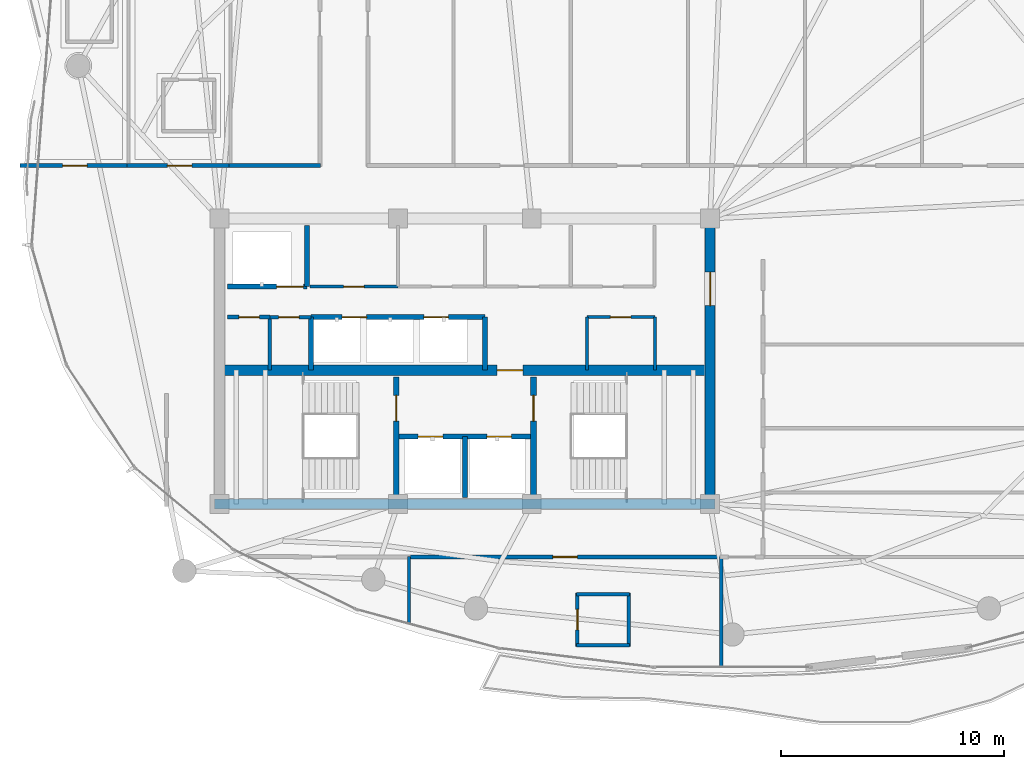
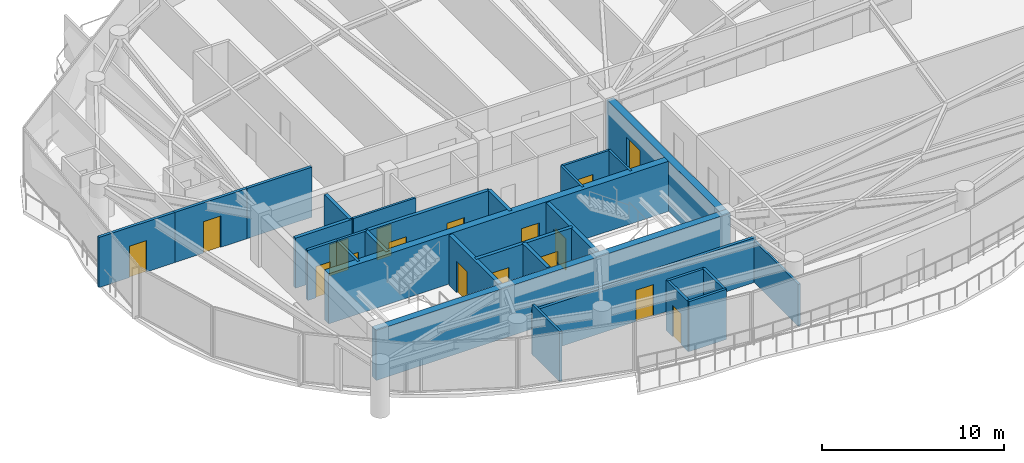
# One storey, part 25 of 31: 29 walls, 17 doors, 17 openings.
"""IFC4 building model written with IfcOpenShell, lengths in metres."""

from ifc_helpers import new_model, si_unit, direction, frame, frame_2d, origin, place, context, subcontext, project, spatial, rectangle, extrude, material, layer, layer_set, type_object, element, fill, save


model = new_model("IFC4")

# Units and contexts
model_context = context("Model", 3, precision=1e-05, world=origin(), true_north=direction((0.0, 1.0)))
body_context = subcontext(model_context, "Body", "Model", "MODEL_VIEW")
ifc_project = project(units=[si_unit("LENGTHUNIT", "METRE"), si_unit("AREAUNIT", "SQUARE_METRE"), si_unit("VOLUMEUNIT", "CUBIC_METRE"), si_unit("PLANEANGLEUNIT", "RADIAN"), si_unit("MASSUNIT", "GRAM", prefix="KILO")], contexts=[model_context])

# Site, building, storey
site_placement = place(None, origin())
site = spatial("IfcSite", under=ifc_project, at=site_placement, CompositionType="ELEMENT")
building_placement = place(site_placement, origin())
building = spatial("IfcBuilding", under=site, at=building_placement, Name="Kazevale Care Tower and Concert Hall", CompositionType="ELEMENT")
storey_placement = place(building_placement, frame((0.0, 0.0, 235.199951171875)))
storey = spatial("IfcBuildingStorey", under=building, at=storey_placement, Name="L62", CompositionType="ELEMENT", Elevation=235.199951171875)

# Wall, opening, door
ifc_material_1 = material(Name="Acoustic Gypsum on Steel Stud", Category="steel")
ifc_layer_1 = layer(ifc_material_1, 0.139892578125)
ifc_layer_set_1 = layer_set([ifc_layer_1], Name="Acoustic Gypsum on Steel Stud")
wall_type_1 = type_object("IfcWallType", Name="Acoustic Care & Suite Partition 140", PredefinedType="PARTITIONING", material=ifc_layer_set_1)
wall_1_placement = place(storey_placement, frame((26.050048828125, 33.35009765625, 0.0), z_axis=(0.0, 0.0, 1.0), x_axis=(1.0, 0.0, 0.0)))
wall_1 = element("IfcWall", 1, at=wall_1_placement, inside=storey, type_object=wall_type_1, Name="wall:L62:c_rpl1_s", PredefinedType="PARTITIONING", context=body_context, shape_type="SweptSolid", body=[
    extrude(rectangle(XDim=3.949951171875, YDim=0.139892578125, at=frame_2d((1.97509765625, 0.0))), origin(), (0.0, 0.0, 1.0), 3.360107421875),
])
opening_1_placement = place(wall_1_placement, frame((1.514892578125, 0.0, 0.0)))
opening_1 = element("IfcOpeningElement", 2, at=opening_1_placement, cuts=wall_1, Name="Opening ID-900", PredefinedType="OPENING", context=body_context, shape_type="SweptSolid", body=[
    extrude(rectangle(XDim=0.919921875, YDim=2.10009765625, at=frame_2d((0.4599609375, 1.050048828125))), frame((0.0, 0.079833984375, 0.0), z_axis=(0.0, -1.0, 0.0), x_axis=(1.0, 0.0, 0.0)), (0.0, 0.0, 1.0), 0.159912109375),
])
ifc_material_2 = material(Name="Oak Timber Fire Leaf", Category="wood")
door_type_1 = type_object("IfcDoorType", Name="Bathroom & Service Door 920x2100", OperationType="NOTDEFINED", PredefinedType="DOOR", material=ifc_material_2)
door_1_placement = place(opening_1_placement, origin())
door_1 = element("IfcDoor", 3, at=door_1_placement, inside=storey, type_object=door_type_1, Name="door:L62:d_rpl1", OperationType="SINGLE_SWING_LEFT", OverallHeight=2.10009765625, OverallWidth=0.919921875, PredefinedType="DOOR", context=body_context, shape_type="SweptSolid", body=[
    extrude(rectangle(XDim=0.919921875, YDim=2.10009765625, at=frame_2d((0.4599609375, 1.050048828125))), frame((0.0, 0.02490234375, 0.0), z_axis=(0.0, -1.0, 0.0), x_axis=(1.0, 0.0, 0.0)), (0.0, 0.0, 1.0), 0.050048828125),
])
fill(opening_1, door_1)

# Walls
for number, where, z_axis, x_axis, name in (
    (4, (38.47998046875, 29.6201171875, 0.0), (0.0, 0.0, 1.0), (0.0, 1.0, 0.0), "wall:L62:kb_ew"),
    (5, (41.52001953125, 29.6201171875, 0.0), (0.0, 0.0, 1.0), (0.0, 1.0, 0.0), "wall:L62:kb_ee"),
):
    element("IfcWall", number, at=place(storey_placement, frame(where, z_axis=z_axis, x_axis=x_axis)), inside=storey, type_object=wall_type_1, Name=name, PredefinedType="PARTITIONING", context=body_context, shape_type="SweptSolid", body=[
        extrude(rectangle(XDim=2.35986328125, YDim=0.139892578125, at=frame_2d((1.179931640625, 0.0))), origin(), (0.0, 0.0, 1.0), 3.360107421875),
    ])

# Wall, opening, door
wall_2_placement = place(storey_placement, frame((38.47998046875, 31.97998046875, 0.0), z_axis=(0.0, 0.0, 1.0), x_axis=(1.0, 0.0, 0.0)))
wall_2 = element("IfcWall", 6, at=wall_2_placement, inside=storey, type_object=wall_type_1, Name="wall:L62:kb_en", PredefinedType="PARTITIONING", context=body_context, shape_type="SweptSolid", body=[
    extrude(rectangle(XDim=3.0400390625, YDim=0.139892578125, at=frame_2d((1.52001953125, 0.0))), origin(), (0.0, 0.0, 1.0), 3.360107421875),
])
opening_2_placement = place(wall_2_placement, frame((1.044921875, 0.0, 0.0)))
opening_2 = element("IfcOpeningElement", 7, at=opening_2_placement, cuts=wall_2, Name="Opening ID-900", PredefinedType="OPENING", context=body_context, shape_type="SweptSolid", body=[
    extrude(rectangle(XDim=0.919921875, YDim=2.10009765625, at=frame_2d((0.4599609375, 1.050048828125))), frame((0.0, 0.079833984375, 0.0), z_axis=(0.0, -1.0, 0.0), x_axis=(1.0, 0.0, 0.0)), (0.0, 0.0, 1.0), 0.159912109375),
])
door_2_placement = place(opening_2_placement, origin())
door_2 = element("IfcDoor", 8, at=door_2_placement, inside=storey, type_object=door_type_1, Name="door:L62:d_kbe", OperationType="SINGLE_SWING_LEFT", OverallHeight=2.10009765625, OverallWidth=0.919921875, PredefinedType="DOOR", context=body_context, shape_type="SweptSolid", body=[
    extrude(rectangle(XDim=0.919921875, YDim=2.10009765625, at=frame_2d((0.4599609375, 1.050048828125))), frame((0.0, 0.02490234375, 0.0), z_axis=(0.0, -1.0, 0.0), x_axis=(1.0, 0.0, 0.0)), (0.0, 0.0, 1.0), 0.050048828125),
])
fill(opening_2, door_2)

# Walls
wall_3_placement = place(storey_placement, frame((30.5, 21.2548828125, 0.0), z_axis=(0.0, 0.0, 1.0), x_axis=(0.0, -1.0, 0.0)))
element("IfcWall", 9, at=wall_3_placement, inside=storey, type_object=wall_type_1, Name="wall:L62:auto_037", PredefinedType="PARTITIONING", context=body_context, shape_type="SweptSolid", body=[
    extrude(rectangle(XDim=3.013671875, YDim=0.139892578125, at=frame_2d((1.5068359375, 0.0))), origin(), (0.0, 0.0, 1.0), 3.360107421875),
])
wall_4_placement = place(storey_placement, frame((44.5, 21.2548828125, 0.0), z_axis=(0.0, 0.0, 1.0), x_axis=(0.0, -1.0, 0.0)))
element("IfcWall", 10, at=wall_4_placement, inside=storey, type_object=wall_type_1, Name="wall:L62:auto_038", PredefinedType="PARTITIONING", context=body_context, shape_type="SweptSolid", body=[
    extrude(rectangle(XDim=4.9599609375, YDim=0.139892578125, at=frame_2d((2.47998046875, 0.0))), origin(), (0.0, 0.0, 1.0), 2.80615234375),
])
ifc_material_3 = material(Name="Concrete C50", Category="concrete")
ifc_layer_2 = layer(ifc_material_3, 0.449951171875)
ifc_layer_set_2 = layer_set([ifc_layer_2], Name="Concrete C50")
wall_type_2 = type_object("IfcWallType", Name="Core Shear Wall 450 C50", PredefinedType="SHEAR", material=ifc_layer_set_2)
wall_5_placement = place(storey_placement, frame((21.77490234375, 23.60009765625, 0.0), z_axis=(0.0, 0.0, 1.0), x_axis=(1.0, 0.0, 0.0)))
element("IfcWall", 11, at=wall_5_placement, inside=storey, type_object=wall_type_2, Name="wall:L62:core:S", PredefinedType="SHEAR", context=body_context, shape_type="SweptSolid", body=[
    extrude(rectangle(XDim=22.4501953125, YDim=0.449951171875, at=frame_2d((11.22509765625, 0.0))), origin(), (0.0, 0.0, 1.0), 3.360107421875),
])

# Wall, opening, door
wall_6_placement = place(storey_placement, frame((44.0, 23.824951171875, 0.0), z_axis=(0.0, 0.0, 1.0), x_axis=(0.0, 1.0, 0.0)))
wall_6 = element("IfcWall", 12, at=wall_6_placement, inside=storey, type_object=wall_type_2, Name="wall:L62:core:E", PredefinedType="SHEAR", context=body_context, shape_type="SweptSolid", body=[
    extrude(rectangle(XDim=12.35009765625, YDim=0.449951171875, at=frame_2d((6.175048828125, 0.0))), origin(), (0.0, 0.0, 1.0), 3.360107421875),
])
opening_3_placement = place(wall_6_placement, frame((8.675048828125, 0.0, 0.0)))
opening_3 = element("IfcOpeningElement", 13, at=opening_3_placement, cuts=wall_6, Name="Opening FD-60D", PredefinedType="OPENING", context=body_context, shape_type="SweptSolid", body=[
    extrude(rectangle(XDim=1.5, YDim=2.14990234375, at=frame_2d((0.75, 1.074951171875))), frame((0.0, 0.23486328125, 0.0), z_axis=(0.0, -1.0, 0.0), x_axis=(1.0, 0.0, 0.0)), (0.0, 0.0, 1.0), 0.469970703125),
])
door_type_2 = type_object("IfcDoorType", Name="Double Lobby & Auditorium Fire Door 1500x2150", OperationType="NOTDEFINED", PredefinedType="DOOR", material=ifc_material_2)
door_3_placement = place(opening_3_placement, origin())
door_3 = element("IfcDoor", 14, at=door_3_placement, inside=storey, type_object=door_type_2, Name="door:L62:core_east_out", OperationType="DOUBLE_DOOR_SINGLE_SWING", OverallHeight=2.14990234375, OverallWidth=1.5, PredefinedType="DOOR", context=body_context, shape_type="SweptSolid", body=[
    extrude(rectangle(XDim=1.5, YDim=2.14990234375, at=frame_2d((0.75, 1.074951171875))), frame((0.0, 0.02490234375, 0.0), z_axis=(0.0, -1.0, 0.0), x_axis=(1.0, 0.0, 0.0)), (0.0, 0.0, 1.0), 0.050048828125),
])
fill(opening_3, door_3)

wall_7_placement = place(storey_placement, frame((22.22509765625, 29.60009765625, 0.0), z_axis=(0.0, 0.0, 1.0), x_axis=(1.0, 0.0, 0.0)))
wall_7 = element("IfcWall", 15, at=wall_7_placement, inside=storey, type_object=wall_type_2, Name="wall:L62:core:M", PredefinedType="SHEAR", context=body_context, shape_type="SweptSolid", body=[
    extrude(rectangle(XDim=21.5498046875, YDim=0.449951171875, at=frame_2d((10.77490234375, 0.0))), origin(), (0.0, 0.0, 1.0), 3.360107421875),
])
opening_4_placement = place(wall_7_placement, frame((12.22509765625, 0.0, 0.0)))
opening_4 = element("IfcOpeningElement", 16, at=opening_4_placement, cuts=wall_7, Name="Opening FD-90", PredefinedType="OPENING", context=body_context, shape_type="SweptSolid", body=[
    extrude(rectangle(XDim=1.14990234375, YDim=2.10009765625, at=frame_2d((0.574951171875, 1.050048828125))), frame((0.0, 0.23486328125, 0.0), z_axis=(0.0, -1.0, 0.0), x_axis=(1.0, 0.0, 0.0)), (0.0, 0.0, 1.0), 0.469970703125),
])
ifc_material_4 = material(Name="Steel ASTM A572 Gr 50", Category="steel")
door_type_3 = type_object("IfcDoorType", Name="Pressurized Stair & Lobby Fire Door 1150x2100", OperationType="NOTDEFINED", PredefinedType="DOOR", material=ifc_material_4)
door_4_placement = place(opening_4_placement, origin())
door_4 = element("IfcDoor", 17, at=door_4_placement, inside=storey, type_object=door_type_3, Name="door:L62:ff_to_pax", OperationType="SINGLE_SWING_LEFT", OverallHeight=2.10009765625, OverallWidth=1.14990234375, PredefinedType="DOOR", context=body_context, shape_type="SweptSolid", body=[
    extrude(rectangle(XDim=1.14990234375, YDim=2.10009765625, at=frame_2d((0.574951171875, 1.050048828125))), frame((0.0, 0.02490234375, 0.0), z_axis=(0.0, -1.0, 0.0), x_axis=(1.0, 0.0, 0.0)), (0.0, 0.0, 1.0), 0.050048828125),
])
fill(opening_4, door_4)

# Wall, openings, doors
ifc_material_5 = material(Name="Concrete C40", Category="concrete")
ifc_layer_3 = layer(ifc_material_5, 0.219970703125)
ifc_layer_set_3 = layer_set([ifc_layer_3], Name="Concrete C40")
wall_type_3 = type_object("IfcWallType", Name="Elevator Hoistway Shaft Wall 220", PredefinedType="SOLIDWALL", material=ifc_layer_set_3)
wall_8_placement = place(storey_placement, frame((29.919921875, 26.6201171875, 0.0), z_axis=(0.0, 0.0, 1.0), x_axis=(1.0, 0.0, 0.0)))
wall_8 = element("IfcWall", 18, at=wall_8_placement, inside=storey, type_object=wall_type_3, Name="wall:L62:c_ffl_n", PredefinedType="SOLIDWALL", context=body_context, shape_type="SweptSolid", body=[
    extrude(rectangle(XDim=6.16015625, YDim=0.219970703125, at=frame_2d((3.080078125, 0.0))), origin(), (0.0, 0.0, 1.0), 3.360107421875),
])
opening_5_placement = place(wall_8_placement, frame((0.989990234375, 0.0, 0.0)))
opening_5 = element("IfcOpeningElement", 19, at=opening_5_placement, cuts=wall_8, Name="Opening LD-FF", PredefinedType="OPENING", context=body_context, shape_type="SweptSolid", body=[
    extrude(rectangle(XDim=1.10009765625, YDim=2.10009765625, at=frame_2d((0.550048828125, 1.050048828125))), frame((0.0, 0.119873046875, 0.0), z_axis=(0.0, -1.0, 0.0), x_axis=(1.0, 0.0, 0.0)), (0.0, 0.0, 1.0), 0.239990234375),
])
opening_6_placement = place(wall_8_placement, frame((4.070068359375, 0.0, 0.0)))
opening_6 = element("IfcOpeningElement", 20, at=opening_6_placement, cuts=wall_8, Name="Opening LD-FF", PredefinedType="OPENING", context=body_context, shape_type="SweptSolid", body=[
    extrude(rectangle(XDim=1.10009765625, YDim=2.10009765625, at=frame_2d((0.550048828125, 1.050048828125))), frame((0.0, 0.119873046875, 0.0), z_axis=(0.0, -1.0, 0.0), x_axis=(1.0, 0.0, 0.0)), (0.0, 0.0, 1.0), 0.239990234375),
])
ifc_material_6 = material(Name="Stainless Steel 316", Category="steel")
door_type_4 = type_object("IfcDoorType", Name="Emergency Lift Sliding Landing Door 1100x2100", OperationType="NOTDEFINED", PredefinedType="DOOR", material=ifc_material_6)
door_5_placement = place(opening_5_placement, origin())
door_5 = element("IfcDoor", 21, at=door_5_placement, inside=storey, type_object=door_type_4, Name="door:L62:ld_ffl1", OperationType="SLIDING_TO_LEFT", OverallHeight=2.10009765625, OverallWidth=1.10009765625, PredefinedType="DOOR", context=body_context, shape_type="SweptSolid", body=[
    extrude(rectangle(XDim=1.10009765625, YDim=2.10009765625, at=frame_2d((0.550048828125, 1.050048828125))), frame((0.0, 0.02490234375, 0.0), z_axis=(0.0, -1.0, 0.0), x_axis=(1.0, 0.0, 0.0)), (0.0, 0.0, 1.0), 0.050048828125),
])
fill(opening_5, door_5)
door_6_placement = place(opening_6_placement, origin())
door_6 = element("IfcDoor", 22, at=door_6_placement, inside=storey, type_object=door_type_4, Name="door:L62:ld_ffl2", OperationType="SLIDING_TO_RIGHT", OverallHeight=2.10009765625, OverallWidth=1.10009765625, PredefinedType="DOOR", context=body_context, shape_type="SweptSolid", body=[
    extrude(rectangle(XDim=1.10009765625, YDim=2.10009765625, at=frame_2d((0.550048828125, 1.050048828125))), frame((0.0, 0.02490234375, 0.0), z_axis=(0.0, -1.0, 0.0), x_axis=(1.0, 0.0, 0.0)), (0.0, 0.0, 1.0), 0.050048828125),
])
fill(opening_6, door_6)

# Walls
wall_9_placement = place(storey_placement, frame((33.0, 23.89990234375, 0.0), z_axis=(0.0, 0.0, 1.0), x_axis=(0.0, 1.0, 0.0)))
element("IfcWall", 23, at=wall_9_placement, inside=storey, type_object=wall_type_3, Name="wall:L62:c_ffl_m", PredefinedType="SOLIDWALL", context=body_context, shape_type="SweptSolid", body=[
    extrude(rectangle(XDim=2.72021484375, YDim=0.219970703125, at=frame_2d((1.360107421875, 0.0))), origin(), (0.0, 0.0, 1.0), 3.360107421875),
])
wall_10_placement = place(storey_placement, frame((25.919921875, 33.35009765625, 0.0), z_axis=(0.0, 0.0, 1.0), x_axis=(0.0, 1.0, 0.0)))
element("IfcWall", 24, at=wall_10_placement, inside=storey, type_object=wall_type_3, Name="wall:L62:c_svl_e", PredefinedType="SOLIDWALL", context=body_context, shape_type="SweptSolid", body=[
    extrude(rectangle(XDim=2.72998046875, YDim=0.219970703125, at=frame_2d((1.364990234375, 0.0))), origin(), (0.0, 0.0, 1.0), 3.360107421875),
])

# Wall, opening, door
wall_11_placement = place(storey_placement, frame((22.35009765625, 33.35009765625, 0.0), z_axis=(0.0, 0.0, 1.0), x_axis=(1.0, 0.0, 0.0)))
wall_11 = element("IfcWall", 25, at=wall_11_placement, inside=storey, type_object=wall_type_3, Name="wall:L62:c_svl_s", PredefinedType="SOLIDWALL", context=body_context, shape_type="SweptSolid", body=[
    extrude(rectangle(XDim=3.56982421875, YDim=0.219970703125, at=frame_2d((1.784912109375, 0.0))), origin(), (0.0, 0.0, 1.0), 3.360107421875),
])
opening_7_placement = place(wall_11_placement, frame((2.212890625, 0.0, 0.0)))
opening_7 = element("IfcOpeningElement", 26, at=opening_7_placement, cuts=wall_11, Name="Opening LD-SV", PredefinedType="OPENING", context=body_context, shape_type="SweptSolid", body=[
    extrude(rectangle(XDim=1.199951171875, YDim=2.10009765625, at=frame_2d((0.60009765625, 1.050048828125))), frame((0.0, 0.119873046875, 0.0), z_axis=(0.0, -1.0, 0.0), x_axis=(1.0, 0.0, 0.0)), (0.0, 0.0, 1.0), 0.239990234375),
])
door_type_5 = type_object("IfcDoorType", Name="Service Lift Sliding Landing Door 1200x2100", OperationType="NOTDEFINED", PredefinedType="DOOR", material=ifc_material_6)
door_7_placement = place(opening_7_placement, origin())
door_7 = element("IfcDoor", 27, at=door_7_placement, inside=storey, type_object=door_type_5, Name="door:L62:ld_svl1", OperationType="SLIDING_TO_LEFT", OverallHeight=2.10009765625, OverallWidth=1.199951171875, PredefinedType="DOOR", context=body_context, shape_type="SweptSolid", body=[
    extrude(rectangle(XDim=1.199951171875, YDim=2.10009765625, at=frame_2d((0.60009765625, 1.050048828125))), frame((0.0, 0.02490234375, 0.0), z_axis=(0.0, -1.0, 0.0), x_axis=(1.0, 0.0, 0.0)), (0.0, 0.0, 1.0), 0.050048828125),
])
fill(opening_7, door_7)

# Wall
wall_12_placement = place(storey_placement, frame((26.10009765625, 29.6201171875, 0.0), z_axis=(0.0, 0.0, 1.0), x_axis=(0.0, 1.0, 0.0)))
element("IfcWall", 28, at=wall_12_placement, inside=storey, type_object=wall_type_3, Name="wall:L62:c_ph_w", PredefinedType="SOLIDWALL", context=body_context, shape_type="SweptSolid", body=[
    extrude(rectangle(XDim=2.35986328125, YDim=0.219970703125, at=frame_2d((1.179931640625, 0.0))), origin(), (0.0, 0.0, 1.0), 3.360107421875),
])

# Wall, openings, doors
wall_13_placement = place(storey_placement, frame((26.10009765625, 31.97998046875, 0.0), z_axis=(0.0, 0.0, 1.0), x_axis=(1.0, 0.0, 0.0)))
wall_13 = element("IfcWall", 29, at=wall_13_placement, inside=storey, type_object=wall_type_3, Name="wall:L62:c_ph_n", PredefinedType="SOLIDWALL", context=body_context, shape_type="SweptSolid", body=[
    extrude(rectangle(XDim=7.7998046875, YDim=0.219970703125, at=frame_2d((3.89990234375, 0.0))), origin(), (0.0, 0.0, 1.0), 3.360107421875),
])
opening_8_placement = place(wall_13_placement, frame((1.39990234375, 0.0, 0.0)))
opening_8 = element("IfcOpeningElement", 30, at=opening_8_placement, cuts=wall_13, Name="Opening LD-PAX", PredefinedType="OPENING", context=body_context, shape_type="SweptSolid", body=[
    extrude(rectangle(XDim=1.10009765625, YDim=2.10009765625, at=frame_2d((0.550048828125, 1.050048828125))), frame((0.0, 0.119873046875, 0.0), z_axis=(0.0, -1.0, 0.0), x_axis=(1.0, 0.0, 0.0)), (0.0, 0.0, 1.0), 0.239990234375),
])
opening_9_placement = place(wall_13_placement, frame((5.06591796875, 0.0, 0.0)))
opening_9 = element("IfcOpeningElement", 31, at=opening_9_placement, cuts=wall_13, Name="Opening LD-PAX", PredefinedType="OPENING", context=body_context, shape_type="SweptSolid", body=[
    extrude(rectangle(XDim=1.10009765625, YDim=2.10009765625, at=frame_2d((0.550048828125, 1.050048828125))), frame((0.0, 0.119873046875, 0.0), z_axis=(0.0, -1.0, 0.0), x_axis=(1.0, 0.0, 0.0)), (0.0, 0.0, 1.0), 0.239990234375),
])
door_type_6 = type_object("IfcDoorType", Name="Passenger Lift Sliding Landing Door 1100x2100", OperationType="NOTDEFINED", PredefinedType="DOOR", material=ifc_material_6)
door_8_placement = place(opening_8_placement, origin())
door_8 = element("IfcDoor", 32, at=door_8_placement, inside=storey, type_object=door_type_6, Name="door:L62:ld_ph1", OperationType="SLIDING_TO_LEFT", OverallHeight=2.10009765625, OverallWidth=1.10009765625, PredefinedType="DOOR", context=body_context, shape_type="SweptSolid", body=[
    extrude(rectangle(XDim=1.10009765625, YDim=2.10009765625, at=frame_2d((0.550048828125, 1.050048828125))), frame((0.0, 0.02490234375, 0.0), z_axis=(0.0, -1.0, 0.0), x_axis=(1.0, 0.0, 0.0)), (0.0, 0.0, 1.0), 0.050048828125),
])
fill(opening_8, door_8)
door_9_placement = place(opening_9_placement, origin())
door_9 = element("IfcDoor", 33, at=door_9_placement, inside=storey, type_object=door_type_6, Name="door:L62:ld_ph2", OperationType="SLIDING_TO_RIGHT", OverallHeight=2.10009765625, OverallWidth=1.10009765625, PredefinedType="DOOR", context=body_context, shape_type="SweptSolid", body=[
    extrude(rectangle(XDim=1.10009765625, YDim=2.10009765625, at=frame_2d((0.550048828125, 1.050048828125))), frame((0.0, 0.02490234375, 0.0), z_axis=(0.0, -1.0, 0.0), x_axis=(1.0, 0.0, 0.0)), (0.0, 0.0, 1.0), 0.050048828125),
])
fill(opening_9, door_9)

# Wall
wall_14_placement = place(storey_placement, frame((33.89990234375, 29.6201171875, 0.0), z_axis=(0.0, 0.0, 1.0), x_axis=(0.0, 1.0, 0.0)))
element("IfcWall", 34, at=wall_14_placement, inside=storey, type_object=wall_type_3, Name="wall:L62:c_ph_e", PredefinedType="SOLIDWALL", context=body_context, shape_type="SweptSolid", body=[
    extrude(rectangle(XDim=2.35986328125, YDim=0.219970703125, at=frame_2d((1.179931640625, 0.0))), origin(), (0.0, 0.0, 1.0), 3.360107421875),
])

# Wall, opening, door
ifc_material_7 = material(Name="Concrete C40 and Acoustic Gypsum", Category="concrete")
ifc_layer_4 = layer(ifc_material_7, 0.179931640625)
ifc_layer_set_4 = layer_set([ifc_layer_4], Name="Concrete C40 and Acoustic Gypsum")
wall_type_4 = type_object("IfcWallType", Name="Fire-Rated Corridor & Party Wall 180", PredefinedType="PARTITIONING", material=ifc_layer_set_4)
wall_15_placement = place(storey_placement, frame((22.35009765625, 31.97998046875, 0.0), z_axis=(0.0, 0.0, 1.0), x_axis=(1.0, 0.0, 0.0)))
wall_15 = element("IfcWall", 35, at=wall_15_placement, inside=storey, type_object=wall_type_4, Name="wall:L62:kb_wn0", PredefinedType="PARTITIONING", context=body_context, shape_type="SweptSolid", body=[
    extrude(rectangle(XDim=1.909912109375, YDim=0.179931640625, at=frame_2d((0.955078125, 0.0))), origin(), (0.0, 0.0, 1.0), 3.360107421875),
])
opening_10_placement = place(wall_15_placement, frame((0.514892578125, 0.0, 0.0)))
opening_10 = element("IfcOpeningElement", 36, at=opening_10_placement, cuts=wall_15, Name="Opening ID-900", PredefinedType="OPENING", context=body_context, shape_type="SweptSolid", body=[
    extrude(rectangle(XDim=0.919921875, YDim=2.10009765625, at=frame_2d((0.4599609375, 1.050048828125))), frame((0.0, 0.099853515625, 0.0), z_axis=(0.0, -1.0, 0.0), x_axis=(1.0, 0.0, 0.0)), (0.0, 0.0, 1.0), 0.199951171875),
])
door_10_placement = place(opening_10_placement, origin())
door_10 = element("IfcDoor", 37, at=door_10_placement, inside=storey, type_object=door_type_1, Name="door:L62:d_kbw1", OperationType="SINGLE_SWING_LEFT", OverallHeight=2.10009765625, OverallWidth=0.919921875, PredefinedType="DOOR", context=body_context, shape_type="SweptSolid", body=[
    extrude(rectangle(XDim=0.919921875, YDim=2.10009765625, at=frame_2d((0.4599609375, 1.050048828125))), frame((0.0, 0.02490234375, 0.0), z_axis=(0.0, -1.0, 0.0), x_axis=(1.0, 0.0, 0.0)), (0.0, 0.0, 1.0), 0.050048828125),
])
fill(opening_10, door_10)

wall_16_placement = place(storey_placement, frame((13.053955078125, 38.77490234375, 0.0), z_axis=(0.0, 0.0, 1.0), x_axis=(1.0, 0.0, 0.0)))
wall_16 = element("IfcWall", 38, at=wall_16_placement, inside=storey, type_object=wall_type_4, Name="wall:L62:auto_001", PredefinedType="PARTITIONING", context=body_context, shape_type="SweptSolid", body=[
    extrude(rectangle(XDim=4.93115234375, YDim=0.179931640625, at=frame_2d((2.465576171875, 0.0))), origin(), (0.0, 0.0, 1.0), 3.360107421875),
])
opening_11_placement = place(wall_16_placement, frame((1.9150390625, 0.0, 0.0)))
opening_11 = element("IfcOpeningElement", 39, at=opening_11_placement, cuts=wall_16, Name="Opening ID-1100", PredefinedType="OPENING", context=body_context, shape_type="SweptSolid", body=[
    extrude(rectangle(XDim=1.10009765625, YDim=2.10009765625, at=frame_2d((0.550048828125, 1.050048828125))), frame((0.0, 0.099853515625, 0.0), z_axis=(0.0, -1.0, 0.0), x_axis=(1.0, 0.0, 0.0)), (0.0, 0.0, 1.0), 0.199951171875),
])
door_type_7 = type_object("IfcDoorType", Name="Care Bedroom Accessible Door 1100x2100", OperationType="NOTDEFINED", PredefinedType="DOOR", material=ifc_material_2)
door_11_placement = place(opening_11_placement, origin())
door_11 = element("IfcDoor", 40, at=door_11_placement, inside=storey, type_object=door_type_7, Name="door:L62:ad_001", OperationType="SINGLE_SWING_LEFT", OverallHeight=2.10009765625, OverallWidth=1.10009765625, PredefinedType="DOOR", context=body_context, shape_type="SweptSolid", body=[
    extrude(rectangle(XDim=1.10009765625, YDim=2.10009765625, at=frame_2d((0.550048828125, 1.050048828125))), frame((0.0, 0.02490234375, 0.0), z_axis=(0.0, -1.0, 0.0), x_axis=(1.0, 0.0, 0.0)), (0.0, 0.0, 1.0), 0.050048828125),
])
fill(opening_11, door_11)

wall_17_placement = place(storey_placement, frame((17.85498046875, 38.77490234375, 0.0), z_axis=(0.0, 0.0, 1.0), x_axis=(1.0, 0.0, 0.0)))
wall_17 = element("IfcWall", 41, at=wall_17_placement, inside=storey, type_object=wall_type_4, Name="wall:L62:auto_002", PredefinedType="PARTITIONING", context=body_context, shape_type="SweptSolid", body=[
    extrude(rectangle(XDim=4.7099609375, YDim=0.179931640625, at=frame_2d((2.35498046875, 0.0))), origin(), (0.0, 0.0, 1.0), 3.360107421875),
])
opening_12_placement = place(wall_17_placement, frame((1.804931640625, 0.0, 0.0)))
opening_12 = element("IfcOpeningElement", 42, at=opening_12_placement, cuts=wall_17, Name="Opening ID-1100", PredefinedType="OPENING", context=body_context, shape_type="SweptSolid", body=[
    extrude(rectangle(XDim=1.10009765625, YDim=2.10009765625, at=frame_2d((0.550048828125, 1.050048828125))), frame((0.0, 0.099853515625, 0.0), z_axis=(0.0, -1.0, 0.0), x_axis=(1.0, 0.0, 0.0)), (0.0, 0.0, 1.0), 0.199951171875),
])
door_12_placement = place(opening_12_placement, origin())
door_12 = element("IfcDoor", 43, at=door_12_placement, inside=storey, type_object=door_type_7, Name="door:L62:ad_002", OperationType="SINGLE_SWING_LEFT", OverallHeight=2.10009765625, OverallWidth=1.10009765625, PredefinedType="DOOR", context=body_context, shape_type="SweptSolid", body=[
    extrude(rectangle(XDim=1.10009765625, YDim=2.10009765625, at=frame_2d((0.550048828125, 1.050048828125))), frame((0.0, 0.02490234375, 0.0), z_axis=(0.0, -1.0, 0.0), x_axis=(1.0, 0.0, 0.0)), (0.0, 0.0, 1.0), 0.050048828125),
])
fill(opening_12, door_12)

# Wall
wall_18_placement = place(storey_placement, frame((22.43505859375, 38.77490234375, 0.0), z_axis=(0.0, 0.0, 1.0), x_axis=(1.0, 0.0, 0.0)))
element("IfcWall", 44, at=wall_18_placement, inside=storey, type_object=wall_type_4, Name="wall:L62:auto_004", PredefinedType="PARTITIONING", context=body_context, shape_type="SweptSolid", body=[
    extrude(rectangle(XDim=4.094970703125, YDim=0.179931640625, at=frame_2d((2.04736328125, 0.0))), origin(), (0.0, 0.0, 1.0), 3.360107421875),
])

# Wall, opening, door
wall_19_placement = place(storey_placement, frame((44.56494140625, 21.22509765625, 0.0), z_axis=(0.0, 0.0, 1.0), x_axis=(-1.0, 0.0, 0.0)))
wall_19 = element("IfcWall", 45, at=wall_19_placement, inside=storey, type_object=wall_type_4, Name="wall:L62:auto_020", PredefinedType="PARTITIONING", context=body_context, shape_type="SweptSolid", body=[
    extrude(rectangle(XDim=14.1298828125, YDim=0.179931640625, at=frame_2d((7.06494140625, 0.0))), origin(), (0.0, 0.0, 1.0), 2.99609375),
])
opening_13_placement = place(wall_19_placement, frame((6.514892578125, 0.0, 0.0)))
opening_13 = element("IfcOpeningElement", 46, at=opening_13_placement, cuts=wall_19, Name="Opening ID-1100", PredefinedType="OPENING", context=body_context, shape_type="SweptSolid", body=[
    extrude(rectangle(XDim=1.10009765625, YDim=2.10009765625, at=frame_2d((0.550048828125, 1.050048828125))), frame((0.0, 0.099853515625, 0.0), z_axis=(0.0, -1.0, 0.0), x_axis=(1.0, 0.0, 0.0)), (0.0, 0.0, 1.0), 0.199951171875),
])
door_13_placement = place(opening_13_placement, origin())
door_13 = element("IfcDoor", 47, at=door_13_placement, inside=storey, type_object=door_type_7, Name="door:L62:ad_020", OperationType="SINGLE_SWING_LEFT", OverallHeight=2.10009765625, OverallWidth=1.10009765625, PredefinedType="DOOR", context=body_context, shape_type="SweptSolid", body=[
    extrude(rectangle(XDim=1.10009765625, YDim=2.10009765625, at=frame_2d((0.550048828125, 1.050048828125))), frame((0.0, 0.02490234375, 0.0), z_axis=(0.0, -1.0, 0.0), x_axis=(1.0, 0.0, 0.0)), (0.0, 0.0, 1.0), 0.050048828125),
])
fill(opening_13, door_13)

# Wall
ifc_layer_5 = layer(ifc_material_1, 0.159912109375)
ifc_layer_set_5 = layer_set([ifc_layer_5], Name="Acoustic Gypsum on Steel Stud")
wall_type_5 = type_object("IfcWallType", Name="Moisture-Resistant Bathroom Plumbing Wall 160", PredefinedType="PLUMBINGWALL", material=ifc_layer_set_5)
wall_20_placement = place(storey_placement, frame((24.260009765625, 29.6201171875, 0.0), z_axis=(0.0, 0.0, 1.0), x_axis=(0.0, 1.0, 0.0)))
element("IfcWall", 48, at=wall_20_placement, inside=storey, type_object=wall_type_5, Name="wall:L62:kb_we1", PredefinedType="PLUMBINGWALL", context=body_context, shape_type="SweptSolid", body=[
    extrude(rectangle(XDim=2.35986328125, YDim=0.159912109375, at=frame_2d((1.179931640625, 0.0))), origin(), (0.0, 0.0, 1.0), 3.360107421875),
])

# Wall, opening, door
wall_21_placement = place(storey_placement, frame((24.260009765625, 31.97998046875, 0.0), z_axis=(0.0, 0.0, 1.0), x_axis=(1.0, 0.0, 0.0)))
wall_21 = element("IfcWall", 49, at=wall_21_placement, inside=storey, type_object=wall_type_5, Name="wall:L62:kb_wn1", PredefinedType="PLUMBINGWALL", context=body_context, shape_type="SweptSolid", body=[
    extrude(rectangle(XDim=1.840087890625, YDim=0.159912109375, at=frame_2d((0.919921875, 0.0))), origin(), (0.0, 0.0, 1.0), 3.360107421875),
])
opening_14_placement = place(wall_21_placement, frame((0.387939453125, 0.0, 0.0)))
opening_14 = element("IfcOpeningElement", 50, at=opening_14_placement, cuts=wall_21, Name="Opening ID-900", PredefinedType="OPENING", context=body_context, shape_type="SweptSolid", body=[
    extrude(rectangle(XDim=0.919921875, YDim=2.10009765625, at=frame_2d((0.4599609375, 1.050048828125))), frame((0.0, 0.08984375, 0.0), z_axis=(0.0, -1.0, 0.0), x_axis=(1.0, 0.0, 0.0)), (0.0, 0.0, 1.0), 0.179931640625),
])
door_14_placement = place(opening_14_placement, origin())
door_14 = element("IfcDoor", 51, at=door_14_placement, inside=storey, type_object=door_type_1, Name="door:L62:d_kbw2", OperationType="SINGLE_SWING_RIGHT", OverallHeight=2.10009765625, OverallWidth=0.919921875, PredefinedType="DOOR", context=body_context, shape_type="SweptSolid", body=[
    extrude(rectangle(XDim=0.919921875, YDim=2.10009765625, at=frame_2d((0.4599609375, 1.050048828125))), frame((0.0, 0.02490234375, 0.0), z_axis=(0.0, -1.0, 0.0), x_axis=(1.0, 0.0, 0.0)), (0.0, 0.0, 1.0), 0.050048828125),
])
fill(opening_14, door_14)

# Walls
for number, where, z_axis, x_axis, name in (
    (52, (38.010009765625, 17.260986328125, 0.0), (0.0, 0.0, 1.0), (1.0, 0.0, 0.0), "wall:L62:sb2_ens_ws"),
    (53, (38.010009765625, 19.56103515625, 0.0), (0.0, 0.0, 1.0), (1.0, 0.0, 0.0), "wall:L62:sb2_ens_wn"),
):
    element("IfcWall", number, at=place(storey_placement, frame(where, z_axis=z_axis, x_axis=x_axis)), inside=storey, type_object=wall_type_5, Name=name, PredefinedType="PLUMBINGWALL", context=body_context, shape_type="SweptSolid", body=[
        extrude(rectangle(XDim=2.3798828125, YDim=0.159912109375, at=frame_2d((1.18994140625, 0.0))), origin(), (0.0, 0.0, 1.0), 3.360107421875),
    ])

# Wall, opening, door
wall_22_placement = place(storey_placement, frame((38.050048828125, 17.220947265625, 0.0), z_axis=(0.0, 0.0, 1.0), x_axis=(0.0, 1.0, 0.0)))
wall_22 = element("IfcWall", 54, at=wall_22_placement, inside=storey, type_object=wall_type_5, Name="wall:L62:sb2_ens_ww", PredefinedType="PLUMBINGWALL", context=body_context, shape_type="SweptSolid", body=[
    extrude(rectangle(XDim=2.380126953125, YDim=0.159912109375, at=frame_2d((1.18994140625, 0.0))), origin(), (0.0, 0.0, 1.0), 3.360107421875),
])
opening_15_placement = place(wall_22_placement, frame((0.739990234375, 0.0, 0.0)))
opening_15 = element("IfcOpeningElement", 55, at=opening_15_placement, cuts=wall_22, Name="Opening ID-900", PredefinedType="OPENING", context=body_context, shape_type="SweptSolid", body=[
    extrude(rectangle(XDim=0.919921875, YDim=2.10009765625, at=frame_2d((0.4599609375, 1.050048828125))), frame((0.0, 0.08984375, 0.0), z_axis=(0.0, -1.0, 0.0), x_axis=(1.0, 0.0, 0.0)), (0.0, 0.0, 1.0), 0.179931640625),
])
door_15_placement = place(opening_15_placement, origin())
door_15 = element("IfcDoor", 56, at=door_15_placement, inside=storey, type_object=door_type_1, Name="door:L62:sb2_ens_d", OperationType="SINGLE_SWING_LEFT", OverallHeight=2.10009765625, OverallWidth=0.919921875, PredefinedType="DOOR", context=body_context, shape_type="SweptSolid", body=[
    extrude(rectangle(XDim=0.919921875, YDim=2.10009765625, at=frame_2d((0.4599609375, 1.050048828125))), frame((0.0, 0.02490234375, 0.0), z_axis=(0.0, -1.0, 0.0), x_axis=(1.0, 0.0, 0.0)), (0.0, 0.0, 1.0), 0.050048828125),
])
fill(opening_15, door_15)

# Wall
wall_23_placement = place(storey_placement, frame((40.35009765625, 17.220947265625, 0.0), z_axis=(0.0, 0.0, 1.0), x_axis=(0.0, 1.0, 0.0)))
element("IfcWall", 57, at=wall_23_placement, inside=storey, type_object=wall_type_5, Name="wall:L62:sb2_ens_we", PredefinedType="PLUMBINGWALL", context=body_context, shape_type="SweptSolid", body=[
    extrude(rectangle(XDim=2.380126953125, YDim=0.159912109375, at=frame_2d((1.18994140625, 0.0))), origin(), (0.0, 0.0, 1.0), 3.360107421875),
])

# Wall, opening, door
ifc_layer_6 = layer(ifc_material_5, 0.25)
ifc_layer_set_6 = layer_set([ifc_layer_6], Name="Concrete C40")
wall_type_6 = type_object("IfcWallType", Name="Pressurized Stair Shaft Wall 250", PredefinedType="SOLIDWALL", material=ifc_layer_set_6)
wall_24_placement = place(storey_placement, frame((29.919921875, 23.89990234375, 0.0), z_axis=(0.0, 0.0, 1.0), x_axis=(0.0, 1.0, 0.0)))
wall_24 = element("IfcWall", 58, at=wall_24_placement, inside=storey, type_object=wall_type_6, Name="wall:L62:c_st1_e", PredefinedType="SOLIDWALL", context=body_context, shape_type="SweptSolid", body=[
    extrude(rectangle(XDim=5.400146484375, YDim=0.25, at=frame_2d((2.7001953125, 0.0))), origin(), (0.0, 0.0, 1.0), 3.360107421875),
])
opening_16_placement = place(wall_24_placement, frame((3.4208984375, 0.0, 0.0)))
opening_16 = element("IfcOpeningElement", 59, at=opening_16_placement, cuts=wall_24, Name="Opening FD-90", PredefinedType="OPENING", context=body_context, shape_type="SweptSolid", body=[
    extrude(rectangle(XDim=1.14990234375, YDim=2.10009765625, at=frame_2d((0.574951171875, 1.050048828125))), frame((0.0, 0.135009765625, 0.0), z_axis=(0.0, -1.0, 0.0), x_axis=(1.0, 0.0, 0.0)), (0.0, 0.0, 1.0), 0.27001953125),
])
door_16_placement = place(opening_16_placement, origin())
door_16 = element("IfcDoor", 60, at=door_16_placement, inside=storey, type_object=door_type_3, Name="door:L62:st1", OperationType="SINGLE_SWING_RIGHT", OverallHeight=2.10009765625, OverallWidth=1.14990234375, PredefinedType="DOOR", context=body_context, shape_type="SweptSolid", body=[
    extrude(rectangle(XDim=1.14990234375, YDim=2.10009765625, at=frame_2d((0.574951171875, 1.050048828125))), frame((0.0, 0.02490234375, 0.0), z_axis=(0.0, -1.0, 0.0), x_axis=(1.0, 0.0, 0.0)), (0.0, 0.0, 1.0), 0.050048828125),
])
fill(opening_16, door_16)

wall_25_placement = place(storey_placement, frame((36.080078125, 23.89990234375, 0.0), z_axis=(0.0, 0.0, 1.0), x_axis=(0.0, 1.0, 0.0)))
wall_25 = element("IfcWall", 61, at=wall_25_placement, inside=storey, type_object=wall_type_6, Name="wall:L62:c_st2_w", PredefinedType="SOLIDWALL", context=body_context, shape_type="SweptSolid", body=[
    extrude(rectangle(XDim=5.400146484375, YDim=0.25, at=frame_2d((2.7001953125, 0.0))), origin(), (0.0, 0.0, 1.0), 3.360107421875),
])
opening_17_placement = place(wall_25_placement, frame((3.4208984375, 0.0, 0.0)))
opening_17 = element("IfcOpeningElement", 62, at=opening_17_placement, cuts=wall_25, Name="Opening FD-90", PredefinedType="OPENING", context=body_context, shape_type="SweptSolid", body=[
    extrude(rectangle(XDim=1.14990234375, YDim=2.10009765625, at=frame_2d((0.574951171875, 1.050048828125))), frame((0.0, 0.135009765625, 0.0), z_axis=(0.0, -1.0, 0.0), x_axis=(1.0, 0.0, 0.0)), (0.0, 0.0, 1.0), 0.27001953125),
])
door_17_placement = place(opening_17_placement, origin())
door_17 = element("IfcDoor", 63, at=door_17_placement, inside=storey, type_object=door_type_3, Name="door:L62:st2", OperationType="SINGLE_SWING_LEFT", OverallHeight=2.10009765625, OverallWidth=1.14990234375, PredefinedType="DOOR", context=body_context, shape_type="SweptSolid", body=[
    extrude(rectangle(XDim=1.14990234375, YDim=2.10009765625, at=frame_2d((0.574951171875, 1.050048828125))), frame((0.0, 0.02490234375, 0.0), z_axis=(0.0, -1.0, 0.0), x_axis=(1.0, 0.0, 0.0)), (0.0, 0.0, 1.0), 0.050048828125),
])
fill(opening_17, door_17)

save(model, "model.ifc")
